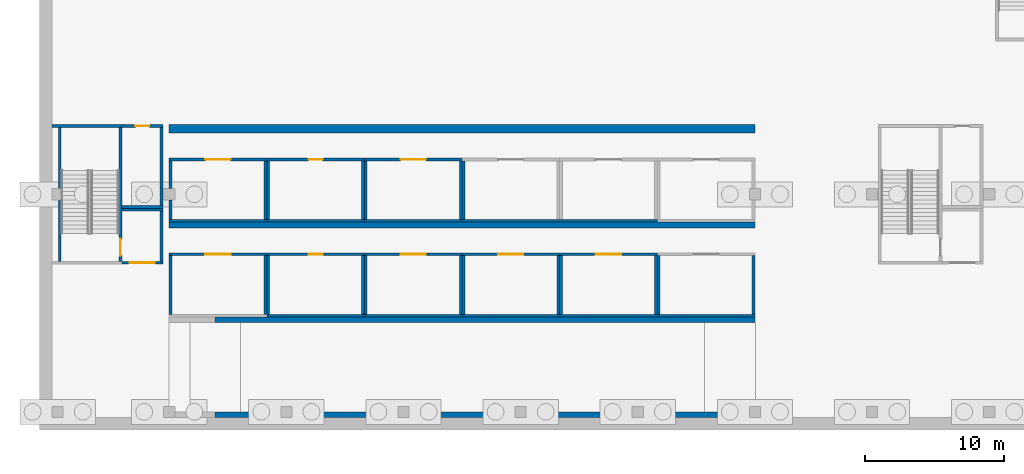
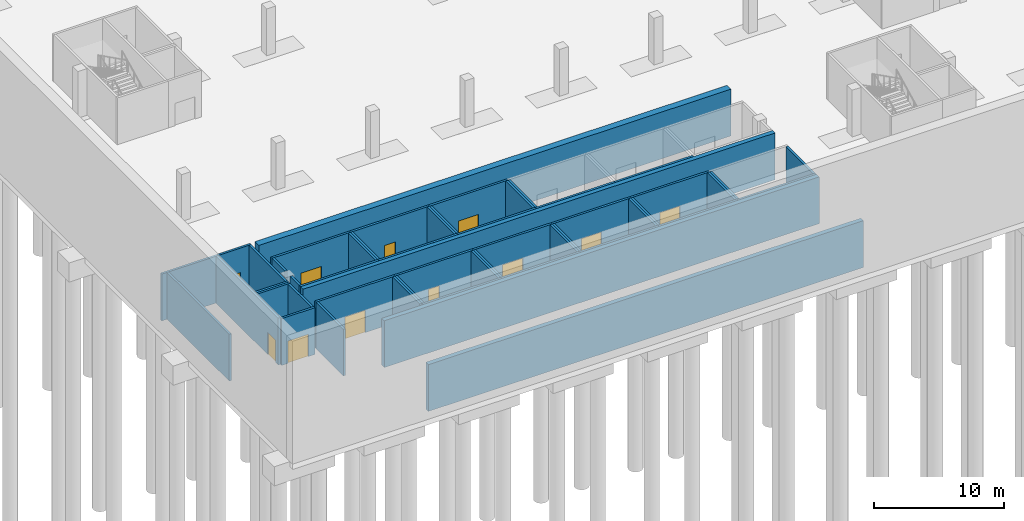
# One storey, part 6 of 46: 51 walls, 11 doors, 11 openings.
"""IFC4 building model written with IfcOpenShell, lengths in metres."""

from ifc_helpers import new_model, si_unit, direction, frame, frame_2d, origin, place, context, subcontext, project, spatial, rectangle, extrude, material, layer, layer_set, type_object, element, fill, save


model = new_model("IFC4")

# Units and contexts
model_context = context("Model", 3, precision=1e-05, world=origin(), true_north=direction((0.0, 1.0)))
body_context = subcontext(model_context, "Body", "Model", "MODEL_VIEW")
ifc_project = project(units=[si_unit("LENGTHUNIT", "METRE"), si_unit("AREAUNIT", "SQUARE_METRE"), si_unit("VOLUMEUNIT", "CUBIC_METRE"), si_unit("PLANEANGLEUNIT", "RADIAN"), si_unit("MASSUNIT", "GRAM", prefix="KILO")], contexts=[model_context])

# Site, building, storey
site_placement = place(None, origin())
site = spatial("IfcSite", under=ifc_project, at=site_placement, CompositionType="ELEMENT")
building_placement = place(site_placement, origin())
building = spatial("IfcBuilding", under=site, at=building_placement, Name="Tamra Quay Hotel Tower", CompositionType="ELEMENT")
storey_placement = place(building_placement, frame((0.0, 0.0, -12.0)))
storey = spatial("IfcBuildingStorey", under=building, at=storey_placement, Name="B3", CompositionType="ELEMENT", Elevation=-12.0)

# Wall, opening, door
ifc_material_1 = material(Name="Blockwork", Category="masonry")
ifc_layer_1 = layer(ifc_material_1, 0.199951171875)
ifc_layer_set_1 = layer_set([ifc_layer_1], Name="Car park room wall 200")
wall_type_1 = type_object("IfcWallType", Name="Car park room wall 200", PredefinedType="PARTITIONING", material=ifc_layer_set_1)
wall_1_placement = place(storey_placement, frame((-114.300048828125, -68.300048828125, 0.0), z_axis=(0.0, 0.0, 1.0), x_axis=(1.0, 0.0, 0.0)))
wall_1 = element("IfcWall", 1, at=wall_1_placement, inside=storey, type_object=wall_type_1, Name="PW", PredefinedType="PARTITIONING", context=body_context, shape_type="SweptSolid", body=[
    extrude(rectangle(XDim=7.0, YDim=0.199951171875, at=frame_2d((3.5, 0.0))), origin(), (0.0, 0.0, 1.0), 4.39990234375),
])
opening_1_placement = place(wall_1_placement, frame((2.60009765625, 0.0, 0.0)))
opening_1 = element("IfcOpeningElement", 2, at=opening_1_placement, cuts=wall_1, Name="Opening PD2", PredefinedType="OPENING", context=body_context, shape_type="SweptSolid", body=[
    extrude(rectangle(XDim=1.800048828125, YDim=2.10009765625, at=frame_2d((0.89990234375, 1.050048828125))), frame((0.0, 0.10986328125, 0.0), z_axis=(0.0, -1.0, 0.0), x_axis=(1.0, 0.0, 0.0)), (0.0, 0.0, 1.0), 0.219970703125),
])
ifc_material_2 = material(Name="Plant door 1800 x 2100")
door_type_1 = type_object("IfcDoorType", Name="Plant door 1800 x 2100", OperationType="DOUBLE_DOOR_SINGLE_SWING", PredefinedType="DOOR", material=ifc_material_2)
door_1_placement = place(opening_1_placement, origin())
door_1 = element("IfcDoor", 3, at=door_1_placement, inside=storey, type_object=door_type_1, Name="PD2", OperationType="DOUBLE_DOOR_SINGLE_SWING", OverallHeight=2.10009765625, OverallWidth=1.800048828125, PredefinedType="DOOR", context=body_context, shape_type="SweptSolid", body=[
    extrude(rectangle(XDim=1.800048828125, YDim=2.10009765625, at=frame_2d((0.89990234375, 1.050048828125))), frame((0.0, 0.02490234375, 0.0), z_axis=(0.0, -1.0, 0.0), x_axis=(1.0, 0.0, 0.0)), (0.0, 0.0, 1.0), 0.050048828125),
])
fill(opening_1, door_1)

# Walls
for number, where, z_axis, x_axis, name in (
    (4, (-114.199951171875, -72.60009765625, 0.0), (0.0, 0.0, 1.0), (0.0, 1.0, 0.0), "PW"),
    (5, (-107.39990234375, -72.60009765625, 0.0), (0.0, 0.0, 1.0), (0.0, 1.0, 0.0), "PW"),
):
    element("IfcWall", number, at=place(storey_placement, frame(where, z_axis=z_axis, x_axis=x_axis)), inside=storey, type_object=wall_type_1, Name=name, PredefinedType="PARTITIONING", context=body_context, shape_type="SweptSolid", body=[
        extrude(rectangle(XDim=4.2001953125, YDim=0.199951171875, at=frame_2d((2.10009765625, 0.0))), origin(), (0.0, 0.0, 1.0), 4.39990234375),
    ])
wall_2_placement = place(storey_placement, frame((-107.300048828125, -72.699951171875, 0.0), z_axis=(0.0, 0.0, 1.0), x_axis=(1.0, 0.0, 0.0)))
element("IfcWall", 6, at=wall_2_placement, inside=storey, type_object=wall_type_1, Name="PW", PredefinedType="PARTITIONING", context=body_context, shape_type="SweptSolid", body=[
    extrude(rectangle(XDim=7.0, YDim=0.199951171875, at=frame_2d((3.5, 0.0))), origin(), (0.0, 0.0, 1.0), 4.39990234375),
])

# Wall, opening, door
wall_3_placement = place(storey_placement, frame((-107.300048828125, -68.300048828125, 0.0), z_axis=(0.0, 0.0, 1.0), x_axis=(1.0, 0.0, 0.0)))
wall_3 = element("IfcWall", 7, at=wall_3_placement, inside=storey, type_object=wall_type_1, Name="PW", PredefinedType="PARTITIONING", context=body_context, shape_type="SweptSolid", body=[
    extrude(rectangle(XDim=7.0, YDim=0.199951171875, at=frame_2d((3.5, 0.0))), origin(), (0.0, 0.0, 1.0), 4.39990234375),
])
opening_2_placement = place(wall_3_placement, frame((3.0, 0.0, 0.0)))
opening_2 = element("IfcOpeningElement", 8, at=opening_2_placement, cuts=wall_3, Name="Opening PD1", PredefinedType="OPENING", context=body_context, shape_type="SweptSolid", body=[
    extrude(rectangle(XDim=1.0, YDim=2.10009765625, at=frame_2d((0.5, 1.050048828125))), frame((0.0, 0.10986328125, 0.0), z_axis=(0.0, -1.0, 0.0), x_axis=(1.0, 0.0, 0.0)), (0.0, 0.0, 1.0), 0.219970703125),
])
ifc_material_3 = material(Name="Car park door 1000 x 2100")
door_type_2 = type_object("IfcDoorType", Name="Car park door 1000 x 2100", OperationType="NOTDEFINED", PredefinedType="DOOR", material=ifc_material_3)
door_2_placement = place(opening_2_placement, origin())
door_2 = element("IfcDoor", 9, at=door_2_placement, inside=storey, type_object=door_type_2, Name="PD1", OperationType="SINGLE_SWING_LEFT", OverallHeight=2.10009765625, OverallWidth=1.0, PredefinedType="DOOR", context=body_context, shape_type="SweptSolid", body=[
    extrude(rectangle(XDim=1.0, YDim=2.10009765625, at=frame_2d((0.5, 1.050048828125))), frame((0.0, 0.02490234375, 0.0), z_axis=(0.0, -1.0, 0.0), x_axis=(1.0, 0.0, 0.0)), (0.0, 0.0, 1.0), 0.050048828125),
])
fill(opening_2, door_2)

# Walls
for number, where, z_axis, x_axis, name in (
    (10, (-107.199951171875, -72.60009765625, 0.0), (0.0, 0.0, 1.0), (0.0, 1.0, 0.0), "PW"),
    (11, (-100.39990234375, -72.60009765625, 0.0), (0.0, 0.0, 1.0), (0.0, 1.0, 0.0), "PW"),
):
    element("IfcWall", number, at=place(storey_placement, frame(where, z_axis=z_axis, x_axis=x_axis)), inside=storey, type_object=wall_type_1, Name=name, PredefinedType="PARTITIONING", context=body_context, shape_type="SweptSolid", body=[
        extrude(rectangle(XDim=4.2001953125, YDim=0.199951171875, at=frame_2d((2.10009765625, 0.0))), origin(), (0.0, 0.0, 1.0), 4.39990234375),
    ])
wall_4_placement = place(storey_placement, frame((-100.300048828125, -72.699951171875, 0.0), z_axis=(0.0, 0.0, 1.0), x_axis=(1.0, 0.0, 0.0)))
element("IfcWall", 12, at=wall_4_placement, inside=storey, type_object=wall_type_1, Name="PW", PredefinedType="PARTITIONING", context=body_context, shape_type="SweptSolid", body=[
    extrude(rectangle(XDim=7.0, YDim=0.199951171875, at=frame_2d((3.5, 0.0))), origin(), (0.0, 0.0, 1.0), 4.39990234375),
])

# Wall, opening, door
wall_5_placement = place(storey_placement, frame((-100.300048828125, -68.300048828125, 0.0), z_axis=(0.0, 0.0, 1.0), x_axis=(1.0, 0.0, 0.0)))
wall_5 = element("IfcWall", 13, at=wall_5_placement, inside=storey, type_object=wall_type_1, Name="PW", PredefinedType="PARTITIONING", context=body_context, shape_type="SweptSolid", body=[
    extrude(rectangle(XDim=7.0, YDim=0.199951171875, at=frame_2d((3.5, 0.0))), origin(), (0.0, 0.0, 1.0), 4.39990234375),
])
opening_3_placement = place(wall_5_placement, frame((2.60009765625, 0.0, 0.0)))
opening_3 = element("IfcOpeningElement", 14, at=opening_3_placement, cuts=wall_5, Name="Opening PD2", PredefinedType="OPENING", context=body_context, shape_type="SweptSolid", body=[
    extrude(rectangle(XDim=1.800048828125, YDim=2.10009765625, at=frame_2d((0.89990234375, 1.050048828125))), frame((0.0, 0.10986328125, 0.0), z_axis=(0.0, -1.0, 0.0), x_axis=(1.0, 0.0, 0.0)), (0.0, 0.0, 1.0), 0.219970703125),
])
door_3_placement = place(opening_3_placement, origin())
door_3 = element("IfcDoor", 15, at=door_3_placement, inside=storey, type_object=door_type_1, Name="PD2", OperationType="DOUBLE_DOOR_SINGLE_SWING", OverallHeight=2.10009765625, OverallWidth=1.800048828125, PredefinedType="DOOR", context=body_context, shape_type="SweptSolid", body=[
    extrude(rectangle(XDim=1.800048828125, YDim=2.10009765625, at=frame_2d((0.89990234375, 1.050048828125))), frame((0.0, 0.02490234375, 0.0), z_axis=(0.0, -1.0, 0.0), x_axis=(1.0, 0.0, 0.0)), (0.0, 0.0, 1.0), 0.050048828125),
])
fill(opening_3, door_3)

# Walls
for number, where, z_axis, x_axis, name in (
    (16, (-100.199951171875, -72.60009765625, 0.0), (0.0, 0.0, 1.0), (0.0, 1.0, 0.0), "PW"),
    (17, (-93.39990234375, -72.60009765625, 0.0), (0.0, 0.0, 1.0), (0.0, 1.0, 0.0), "PW"),
):
    element("IfcWall", number, at=place(storey_placement, frame(where, z_axis=z_axis, x_axis=x_axis)), inside=storey, type_object=wall_type_1, Name=name, PredefinedType="PARTITIONING", context=body_context, shape_type="SweptSolid", body=[
        extrude(rectangle(XDim=4.2001953125, YDim=0.199951171875, at=frame_2d((2.10009765625, 0.0))), origin(), (0.0, 0.0, 1.0), 4.39990234375),
    ])
wall_6_placement = place(storey_placement, frame((-93.300048828125, -72.699951171875, 0.0), z_axis=(0.0, 0.0, 1.0), x_axis=(1.0, 0.0, 0.0)))
element("IfcWall", 18, at=wall_6_placement, inside=storey, type_object=wall_type_1, Name="PW", PredefinedType="PARTITIONING", context=body_context, shape_type="SweptSolid", body=[
    extrude(rectangle(XDim=7.0, YDim=0.199951171875, at=frame_2d((3.5, 0.0))), origin(), (0.0, 0.0, 1.0), 4.39990234375),
])

# Wall, opening, door
wall_7_placement = place(storey_placement, frame((-93.300048828125, -68.300048828125, 0.0), z_axis=(0.0, 0.0, 1.0), x_axis=(1.0, 0.0, 0.0)))
wall_7 = element("IfcWall", 19, at=wall_7_placement, inside=storey, type_object=wall_type_1, Name="PW", PredefinedType="PARTITIONING", context=body_context, shape_type="SweptSolid", body=[
    extrude(rectangle(XDim=7.0, YDim=0.199951171875, at=frame_2d((3.5, 0.0))), origin(), (0.0, 0.0, 1.0), 4.39990234375),
])
opening_4_placement = place(wall_7_placement, frame((2.60009765625, 0.0, 0.0)))
opening_4 = element("IfcOpeningElement", 20, at=opening_4_placement, cuts=wall_7, Name="Opening PD2", PredefinedType="OPENING", context=body_context, shape_type="SweptSolid", body=[
    extrude(rectangle(XDim=1.800048828125, YDim=2.10009765625, at=frame_2d((0.89990234375, 1.050048828125))), frame((0.0, 0.10986328125, 0.0), z_axis=(0.0, -1.0, 0.0), x_axis=(1.0, 0.0, 0.0)), (0.0, 0.0, 1.0), 0.219970703125),
])
door_4_placement = place(opening_4_placement, origin())
door_4 = element("IfcDoor", 21, at=door_4_placement, inside=storey, type_object=door_type_1, Name="PD2", OperationType="DOUBLE_DOOR_SINGLE_SWING", OverallHeight=2.10009765625, OverallWidth=1.800048828125, PredefinedType="DOOR", context=body_context, shape_type="SweptSolid", body=[
    extrude(rectangle(XDim=1.800048828125, YDim=2.10009765625, at=frame_2d((0.89990234375, 1.050048828125))), frame((0.0, 0.02490234375, 0.0), z_axis=(0.0, -1.0, 0.0), x_axis=(1.0, 0.0, 0.0)), (0.0, 0.0, 1.0), 0.050048828125),
])
fill(opening_4, door_4)

# Walls
for number, where, z_axis, x_axis, name in (
    (22, (-93.199951171875, -72.60009765625, 0.0), (0.0, 0.0, 1.0), (0.0, 1.0, 0.0), "PW"),
    (23, (-86.39990234375, -72.60009765625, 0.0), (0.0, 0.0, 1.0), (0.0, 1.0, 0.0), "PW"),
):
    element("IfcWall", number, at=place(storey_placement, frame(where, z_axis=z_axis, x_axis=x_axis)), inside=storey, type_object=wall_type_1, Name=name, PredefinedType="PARTITIONING", context=body_context, shape_type="SweptSolid", body=[
        extrude(rectangle(XDim=4.2001953125, YDim=0.199951171875, at=frame_2d((2.10009765625, 0.0))), origin(), (0.0, 0.0, 1.0), 4.39990234375),
    ])
wall_8_placement = place(storey_placement, frame((-86.300048828125, -72.699951171875, 0.0), z_axis=(0.0, 0.0, 1.0), x_axis=(1.0, 0.0, 0.0)))
element("IfcWall", 24, at=wall_8_placement, inside=storey, type_object=wall_type_1, Name="PW", PredefinedType="PARTITIONING", context=body_context, shape_type="SweptSolid", body=[
    extrude(rectangle(XDim=7.0, YDim=0.199951171875, at=frame_2d((3.5, 0.0))), origin(), (0.0, 0.0, 1.0), 4.39990234375),
])

# Wall, opening, door
wall_9_placement = place(storey_placement, frame((-86.300048828125, -68.300048828125, 0.0), z_axis=(0.0, 0.0, 1.0), x_axis=(1.0, 0.0, 0.0)))
wall_9 = element("IfcWall", 25, at=wall_9_placement, inside=storey, type_object=wall_type_1, Name="PW", PredefinedType="PARTITIONING", context=body_context, shape_type="SweptSolid", body=[
    extrude(rectangle(XDim=7.0, YDim=0.199951171875, at=frame_2d((3.5, 0.0))), origin(), (0.0, 0.0, 1.0), 4.39990234375),
])
opening_5_placement = place(wall_9_placement, frame((2.60009765625, 0.0, 0.0)))
opening_5 = element("IfcOpeningElement", 26, at=opening_5_placement, cuts=wall_9, Name="Opening PD2", PredefinedType="OPENING", context=body_context, shape_type="SweptSolid", body=[
    extrude(rectangle(XDim=1.800048828125, YDim=2.10009765625, at=frame_2d((0.89990234375, 1.050048828125))), frame((0.0, 0.10986328125, 0.0), z_axis=(0.0, -1.0, 0.0), x_axis=(1.0, 0.0, 0.0)), (0.0, 0.0, 1.0), 0.219970703125),
])
door_5_placement = place(opening_5_placement, origin())
door_5 = element("IfcDoor", 27, at=door_5_placement, inside=storey, type_object=door_type_1, Name="PD2", OperationType="DOUBLE_DOOR_SINGLE_SWING", OverallHeight=2.10009765625, OverallWidth=1.800048828125, PredefinedType="DOOR", context=body_context, shape_type="SweptSolid", body=[
    extrude(rectangle(XDim=1.800048828125, YDim=2.10009765625, at=frame_2d((0.89990234375, 1.050048828125))), frame((0.0, 0.02490234375, 0.0), z_axis=(0.0, -1.0, 0.0), x_axis=(1.0, 0.0, 0.0)), (0.0, 0.0, 1.0), 0.050048828125),
])
fill(opening_5, door_5)

# Walls
for number, where, z_axis, x_axis, name in (
    (28, (-86.199951171875, -72.60009765625, 0.0), (0.0, 0.0, 1.0), (0.0, 1.0, 0.0), "PW"),
    (29, (-79.39990234375, -72.60009765625, 0.0), (0.0, 0.0, 1.0), (0.0, 1.0, 0.0), "PW"),
):
    element("IfcWall", number, at=place(storey_placement, frame(where, z_axis=z_axis, x_axis=x_axis)), inside=storey, type_object=wall_type_1, Name=name, PredefinedType="PARTITIONING", context=body_context, shape_type="SweptSolid", body=[
        extrude(rectangle(XDim=4.2001953125, YDim=0.199951171875, at=frame_2d((2.10009765625, 0.0))), origin(), (0.0, 0.0, 1.0), 4.39990234375),
    ])
wall_10_placement = place(storey_placement, frame((-79.300048828125, -72.699951171875, 0.0), z_axis=(0.0, 0.0, 1.0), x_axis=(1.0, 0.0, 0.0)))
element("IfcWall", 30, at=wall_10_placement, inside=storey, type_object=wall_type_1, Name="PW", PredefinedType="PARTITIONING", context=body_context, shape_type="SweptSolid", body=[
    extrude(rectangle(XDim=7.0, YDim=0.199951171875, at=frame_2d((3.5, 0.0))), origin(), (0.0, 0.0, 1.0), 4.39990234375),
])
for number, where, z_axis, x_axis, name in (
    (31, (-79.199951171875, -72.60009765625, 0.0), (0.0, 0.0, 1.0), (0.0, 1.0, 0.0), "PW"),
    (32, (-72.39990234375, -72.60009765625, 0.0), (0.0, 0.0, 1.0), (0.0, 1.0, 0.0), "PW"),
):
    element("IfcWall", number, at=place(storey_placement, frame(where, z_axis=z_axis, x_axis=x_axis)), inside=storey, type_object=wall_type_1, Name=name, PredefinedType="PARTITIONING", context=body_context, shape_type="SweptSolid", body=[
        extrude(rectangle(XDim=4.2001953125, YDim=0.199951171875, at=frame_2d((2.10009765625, 0.0))), origin(), (0.0, 0.0, 1.0), 4.39990234375),
    ])
wall_11_placement = place(storey_placement, frame((-114.300048828125, -65.89990234375, 0.0), z_axis=(0.0, 0.0, 1.0), x_axis=(1.0, 0.0, 0.0)))
element("IfcWall", 33, at=wall_11_placement, inside=storey, type_object=wall_type_1, Name="PW", PredefinedType="PARTITIONING", context=body_context, shape_type="SweptSolid", body=[
    extrude(rectangle(XDim=7.0, YDim=0.199951171875, at=frame_2d((3.5, 0.0))), origin(), (0.0, 0.0, 1.0), 4.39990234375),
])

# Wall, opening, door
wall_12_placement = place(storey_placement, frame((-114.300048828125, -61.5, 0.0), z_axis=(0.0, 0.0, 1.0), x_axis=(1.0, 0.0, 0.0)))
wall_12 = element("IfcWall", 34, at=wall_12_placement, inside=storey, type_object=wall_type_1, Name="PW", PredefinedType="PARTITIONING", context=body_context, shape_type="SweptSolid", body=[
    extrude(rectangle(XDim=7.0, YDim=0.199951171875, at=frame_2d((3.5, 0.0))), origin(), (0.0, 0.0, 1.0), 4.39990234375),
])
opening_6_placement = place(wall_12_placement, frame((2.60009765625, 0.0, 0.0)))
opening_6 = element("IfcOpeningElement", 35, at=opening_6_placement, cuts=wall_12, Name="Opening PD2", PredefinedType="OPENING", context=body_context, shape_type="SweptSolid", body=[
    extrude(rectangle(XDim=1.800048828125, YDim=2.10009765625, at=frame_2d((0.89990234375, 1.050048828125))), frame((0.0, 0.10986328125, 0.0), z_axis=(0.0, -1.0, 0.0), x_axis=(1.0, 0.0, 0.0)), (0.0, 0.0, 1.0), 0.219970703125),
])
door_6_placement = place(opening_6_placement, origin())
door_6 = element("IfcDoor", 36, at=door_6_placement, inside=storey, type_object=door_type_1, Name="PD2", OperationType="DOUBLE_DOOR_SINGLE_SWING", OverallHeight=2.10009765625, OverallWidth=1.800048828125, PredefinedType="DOOR", context=body_context, shape_type="SweptSolid", body=[
    extrude(rectangle(XDim=1.800048828125, YDim=2.10009765625, at=frame_2d((0.89990234375, 1.050048828125))), frame((0.0, 0.02490234375, 0.0), z_axis=(0.0, -1.0, 0.0), x_axis=(1.0, 0.0, 0.0)), (0.0, 0.0, 1.0), 0.050048828125),
])
fill(opening_6, door_6)

# Walls
wall_13_placement = place(storey_placement, frame((-114.199951171875, -65.800048828125, 0.0), z_axis=(0.0, 0.0, 1.0), x_axis=(0.0, 1.0, 0.0)))
element("IfcWall", 37, at=wall_13_placement, inside=storey, type_object=wall_type_1, Name="PW", PredefinedType="PARTITIONING", context=body_context, shape_type="SweptSolid", body=[
    extrude(rectangle(XDim=1.400146484375, YDim=0.199951171875, at=frame_2d((0.7001953125, 0.0))), origin(), (0.0, 0.0, 1.0), 4.39990234375),
])
wall_14_placement = place(storey_placement, frame((-114.199951171875, -63.60009765625, 0.0), z_axis=(0.0, 0.0, 1.0), x_axis=(0.0, 1.0, 0.0)))
element("IfcWall", 38, at=wall_14_placement, inside=storey, type_object=wall_type_1, Name="PW", PredefinedType="PARTITIONING", context=body_context, shape_type="SweptSolid", body=[
    extrude(rectangle(XDim=2.0, YDim=0.199951171875, at=frame_2d((1.0, 0.0))), origin(), (0.0, 0.0, 1.0), 4.39990234375),
])
wall_15_placement = place(storey_placement, frame((-107.39990234375, -65.800048828125, 0.0), z_axis=(0.0, 0.0, 1.0), x_axis=(0.0, 1.0, 0.0)))
element("IfcWall", 39, at=wall_15_placement, inside=storey, type_object=wall_type_1, Name="PW", PredefinedType="PARTITIONING", context=body_context, shape_type="SweptSolid", body=[
    extrude(rectangle(XDim=4.199951171875, YDim=0.199951171875, at=frame_2d((2.10009765625, 0.0))), origin(), (0.0, 0.0, 1.0), 4.39990234375),
])
wall_16_placement = place(storey_placement, frame((-107.300048828125, -65.89990234375, 0.0), z_axis=(0.0, 0.0, 1.0), x_axis=(1.0, 0.0, 0.0)))
element("IfcWall", 40, at=wall_16_placement, inside=storey, type_object=wall_type_1, Name="PW", PredefinedType="PARTITIONING", context=body_context, shape_type="SweptSolid", body=[
    extrude(rectangle(XDim=7.0, YDim=0.199951171875, at=frame_2d((3.5, 0.0))), origin(), (0.0, 0.0, 1.0), 4.39990234375),
])

# Wall, opening, door
wall_17_placement = place(storey_placement, frame((-107.300048828125, -61.5, 0.0), z_axis=(0.0, 0.0, 1.0), x_axis=(1.0, 0.0, 0.0)))
wall_17 = element("IfcWall", 41, at=wall_17_placement, inside=storey, type_object=wall_type_1, Name="PW", PredefinedType="PARTITIONING", context=body_context, shape_type="SweptSolid", body=[
    extrude(rectangle(XDim=7.0, YDim=0.199951171875, at=frame_2d((3.5, 0.0))), origin(), (0.0, 0.0, 1.0), 4.39990234375),
])
opening_7_placement = place(wall_17_placement, frame((3.0, 0.0, 0.0)))
opening_7 = element("IfcOpeningElement", 42, at=opening_7_placement, cuts=wall_17, Name="Opening PD1", PredefinedType="OPENING", context=body_context, shape_type="SweptSolid", body=[
    extrude(rectangle(XDim=1.0, YDim=2.10009765625, at=frame_2d((0.5, 1.050048828125))), frame((0.0, 0.10986328125, 0.0), z_axis=(0.0, -1.0, 0.0), x_axis=(1.0, 0.0, 0.0)), (0.0, 0.0, 1.0), 0.219970703125),
])
door_7_placement = place(opening_7_placement, origin())
door_7 = element("IfcDoor", 43, at=door_7_placement, inside=storey, type_object=door_type_2, Name="PD1", OperationType="SINGLE_SWING_LEFT", OverallHeight=2.10009765625, OverallWidth=1.0, PredefinedType="DOOR", context=body_context, shape_type="SweptSolid", body=[
    extrude(rectangle(XDim=1.0, YDim=2.10009765625, at=frame_2d((0.5, 1.050048828125))), frame((0.0, 0.02490234375, 0.0), z_axis=(0.0, -1.0, 0.0), x_axis=(1.0, 0.0, 0.0)), (0.0, 0.0, 1.0), 0.050048828125),
])
fill(opening_7, door_7)

# Walls
for number, where, z_axis, x_axis, name in (
    (44, (-107.199951171875, -65.800048828125, 0.0), (0.0, 0.0, 1.0), (0.0, 1.0, 0.0), "PW"),
    (45, (-100.39990234375, -65.800048828125, 0.0), (0.0, 0.0, 1.0), (0.0, 1.0, 0.0), "PW"),
):
    element("IfcWall", number, at=place(storey_placement, frame(where, z_axis=z_axis, x_axis=x_axis)), inside=storey, type_object=wall_type_1, Name=name, PredefinedType="PARTITIONING", context=body_context, shape_type="SweptSolid", body=[
        extrude(rectangle(XDim=4.199951171875, YDim=0.199951171875, at=frame_2d((2.10009765625, 0.0))), origin(), (0.0, 0.0, 1.0), 4.39990234375),
    ])
wall_18_placement = place(storey_placement, frame((-100.300048828125, -65.89990234375, 0.0), z_axis=(0.0, 0.0, 1.0), x_axis=(1.0, 0.0, 0.0)))
element("IfcWall", 46, at=wall_18_placement, inside=storey, type_object=wall_type_1, Name="PW", PredefinedType="PARTITIONING", context=body_context, shape_type="SweptSolid", body=[
    extrude(rectangle(XDim=7.0, YDim=0.199951171875, at=frame_2d((3.5, 0.0))), origin(), (0.0, 0.0, 1.0), 4.39990234375),
])

# Wall, opening, door
wall_19_placement = place(storey_placement, frame((-100.300048828125, -61.5, 0.0), z_axis=(0.0, 0.0, 1.0), x_axis=(1.0, 0.0, 0.0)))
wall_19 = element("IfcWall", 47, at=wall_19_placement, inside=storey, type_object=wall_type_1, Name="PW", PredefinedType="PARTITIONING", context=body_context, shape_type="SweptSolid", body=[
    extrude(rectangle(XDim=7.0, YDim=0.199951171875, at=frame_2d((3.5, 0.0))), origin(), (0.0, 0.0, 1.0), 4.39990234375),
])
opening_8_placement = place(wall_19_placement, frame((2.60009765625, 0.0, 0.0)))
opening_8 = element("IfcOpeningElement", 48, at=opening_8_placement, cuts=wall_19, Name="Opening PD2", PredefinedType="OPENING", context=body_context, shape_type="SweptSolid", body=[
    extrude(rectangle(XDim=1.800048828125, YDim=2.10009765625, at=frame_2d((0.89990234375, 1.050048828125))), frame((0.0, 0.10986328125, 0.0), z_axis=(0.0, -1.0, 0.0), x_axis=(1.0, 0.0, 0.0)), (0.0, 0.0, 1.0), 0.219970703125),
])
door_8_placement = place(opening_8_placement, origin())
door_8 = element("IfcDoor", 49, at=door_8_placement, inside=storey, type_object=door_type_1, Name="PD2", OperationType="DOUBLE_DOOR_SINGLE_SWING", OverallHeight=2.10009765625, OverallWidth=1.800048828125, PredefinedType="DOOR", context=body_context, shape_type="SweptSolid", body=[
    extrude(rectangle(XDim=1.800048828125, YDim=2.10009765625, at=frame_2d((0.89990234375, 1.050048828125))), frame((0.0, 0.02490234375, 0.0), z_axis=(0.0, -1.0, 0.0), x_axis=(1.0, 0.0, 0.0)), (0.0, 0.0, 1.0), 0.050048828125),
])
fill(opening_8, door_8)

# Walls
for number, where, z_axis, x_axis, name in (
    (50, (-100.199951171875, -65.800048828125, 0.0), (0.0, 0.0, 1.0), (0.0, 1.0, 0.0), "PW"),
    (51, (-93.39990234375, -65.800048828125, 0.0), (0.0, 0.0, 1.0), (0.0, 1.0, 0.0), "PW"),
):
    element("IfcWall", number, at=place(storey_placement, frame(where, z_axis=z_axis, x_axis=x_axis)), inside=storey, type_object=wall_type_1, Name=name, PredefinedType="PARTITIONING", context=body_context, shape_type="SweptSolid", body=[
        extrude(rectangle(XDim=4.199951171875, YDim=0.199951171875, at=frame_2d((2.10009765625, 0.0))), origin(), (0.0, 0.0, 1.0), 4.39990234375),
    ])
wall_20_placement = place(storey_placement, frame((-93.300048828125, -65.89990234375, 0.0), z_axis=(0.0, 0.0, 1.0), x_axis=(1.0, 0.0, 0.0)))
element("IfcWall", 52, at=wall_20_placement, inside=storey, type_object=wall_type_1, Name="PW", PredefinedType="PARTITIONING", context=body_context, shape_type="SweptSolid", body=[
    extrude(rectangle(XDim=7.0, YDim=0.199951171875, at=frame_2d((3.5, 0.0))), origin(), (0.0, 0.0, 1.0), 4.39990234375),
])
wall_21_placement = place(storey_placement, frame((-93.199951171875, -65.800048828125, 0.0), z_axis=(0.0, 0.0, 1.0), x_axis=(0.0, 1.0, 0.0)))
element("IfcWall", 53, at=wall_21_placement, inside=storey, type_object=wall_type_1, Name="PW", PredefinedType="PARTITIONING", context=body_context, shape_type="SweptSolid", body=[
    extrude(rectangle(XDim=4.199951171875, YDim=0.199951171875, at=frame_2d((2.10009765625, 0.0))), origin(), (0.0, 0.0, 1.0), 4.39990234375),
])
wall_22_placement = place(storey_placement, frame((-86.300048828125, -65.89990234375, 0.0), z_axis=(0.0, 0.0, 1.0), x_axis=(1.0, 0.0, 0.0)))
element("IfcWall", 54, at=wall_22_placement, inside=storey, type_object=wall_type_1, Name="PW", PredefinedType="PARTITIONING", context=body_context, shape_type="SweptSolid", body=[
    extrude(rectangle(XDim=7.0, YDim=0.199951171875, at=frame_2d((3.5, 0.0))), origin(), (0.0, 0.0, 1.0), 4.39990234375),
])

# Wall, opening, door
wall_23_placement = place(storey_placement, frame((-117.699951171875, -68.89990234375, 0.0), z_axis=(0.0, 0.0, 1.0), x_axis=(1.0, 0.0, 0.0)))
wall_23 = element("IfcWall", 55, at=wall_23_placement, inside=storey, type_object=wall_type_1, Name="PW", PredefinedType="PARTITIONING", context=body_context, shape_type="SweptSolid", body=[
    extrude(rectangle(XDim=2.949951171875, YDim=0.199951171875, at=frame_2d((1.47509765625, 0.0))), origin(), (0.0, 0.0, 1.0), 4.39990234375),
])
opening_9_placement = place(wall_23_placement, frame((0.574951171875, 0.0, 0.0)))
opening_9 = element("IfcOpeningElement", 56, at=opening_9_placement, cuts=wall_23, Name="Opening PD2", PredefinedType="OPENING", context=body_context, shape_type="SweptSolid", body=[
    extrude(rectangle(XDim=1.800048828125, YDim=2.10009765625, at=frame_2d((0.89990234375, 1.050048828125))), frame((0.0, 0.10986328125, 0.0), z_axis=(0.0, -1.0, 0.0), x_axis=(1.0, 0.0, 0.0)), (0.0, 0.0, 1.0), 0.219970703125),
])
door_9_placement = place(opening_9_placement, origin())
door_9 = element("IfcDoor", 57, at=door_9_placement, inside=storey, type_object=door_type_1, Name="PD2", OperationType="DOUBLE_DOOR_SINGLE_SWING", OverallHeight=2.10009765625, OverallWidth=1.800048828125, PredefinedType="DOOR", context=body_context, shape_type="SweptSolid", body=[
    extrude(rectangle(XDim=1.800048828125, YDim=2.10009765625, at=frame_2d((0.89990234375, 1.050048828125))), frame((0.0, 0.02490234375, 0.0), z_axis=(0.0, -1.0, 0.0), x_axis=(1.0, 0.0, 0.0)), (0.0, 0.0, 1.0), 0.050048828125),
])
fill(opening_9, door_9)

# Walls
wall_24_placement = place(storey_placement, frame((-117.699951171875, -65.10009765625, 0.0), z_axis=(0.0, 0.0, 1.0), x_axis=(1.0, 0.0, 0.0)))
element("IfcWall", 58, at=wall_24_placement, inside=storey, type_object=wall_type_1, Name="PW", PredefinedType="PARTITIONING", context=body_context, shape_type="SweptSolid", body=[
    extrude(rectangle(XDim=2.949951171875, YDim=0.199951171875, at=frame_2d((1.47509765625, 0.0))), origin(), (0.0, 0.0, 1.0), 4.39990234375),
])
wall_25_placement = place(storey_placement, frame((-114.85009765625, -68.800048828125, 0.0), z_axis=(0.0, 0.0, 1.0), x_axis=(0.0, 1.0, 0.0)))
element("IfcWall", 59, at=wall_25_placement, inside=storey, type_object=wall_type_1, Name="PW", PredefinedType="PARTITIONING", context=body_context, shape_type="SweptSolid", body=[
    extrude(rectangle(XDim=3.60009765625, YDim=0.199951171875, at=frame_2d((1.800048828125, 0.0))), origin(), (0.0, 0.0, 1.0), 4.39990234375),
])
wall_26_placement = place(storey_placement, frame((-117.699951171875, -64.89990234375, 0.0), z_axis=(0.0, 0.0, 1.0), x_axis=(1.0, 0.0, 0.0)))
element("IfcWall", 60, at=wall_26_placement, inside=storey, type_object=wall_type_1, Name="PW", PredefinedType="PARTITIONING", context=body_context, shape_type="SweptSolid", body=[
    extrude(rectangle(XDim=2.949951171875, YDim=0.199951171875, at=frame_2d((1.47509765625, 0.0))), origin(), (0.0, 0.0, 1.0), 4.39990234375),
])

# Wall, opening, door
wall_27_placement = place(storey_placement, frame((-117.699951171875, -59.10009765625, 0.0), z_axis=(0.0, 0.0, 1.0), x_axis=(1.0, 0.0, 0.0)))
wall_27 = element("IfcWall", 61, at=wall_27_placement, inside=storey, type_object=wall_type_1, Name="PW", PredefinedType="PARTITIONING", context=body_context, shape_type="SweptSolid", body=[
    extrude(rectangle(XDim=2.949951171875, YDim=0.199951171875, at=frame_2d((1.47509765625, 0.0))), origin(), (0.0, 0.0, 1.0), 4.39990234375),
])
opening_10_placement = place(wall_27_placement, frame((0.97509765625, 0.0, 0.0)))
opening_10 = element("IfcOpeningElement", 62, at=opening_10_placement, cuts=wall_27, Name="Opening PD1", PredefinedType="OPENING", context=body_context, shape_type="SweptSolid", body=[
    extrude(rectangle(XDim=1.0, YDim=2.10009765625, at=frame_2d((0.5, 1.050048828125))), frame((0.0, 0.10986328125, 0.0), z_axis=(0.0, -1.0, 0.0), x_axis=(1.0, 0.0, 0.0)), (0.0, 0.0, 1.0), 0.219970703125),
])
door_10_placement = place(opening_10_placement, origin())
door_10 = element("IfcDoor", 63, at=door_10_placement, inside=storey, type_object=door_type_2, Name="PD1", OperationType="SINGLE_SWING_LEFT", OverallHeight=2.10009765625, OverallWidth=1.0, PredefinedType="DOOR", context=body_context, shape_type="SweptSolid", body=[
    extrude(rectangle(XDim=1.0, YDim=2.10009765625, at=frame_2d((0.5, 1.050048828125))), frame((0.0, 0.02490234375, 0.0), z_axis=(0.0, -1.0, 0.0), x_axis=(1.0, 0.0, 0.0)), (0.0, 0.0, 1.0), 0.050048828125),
])
fill(opening_10, door_10)

# Walls
wall_28_placement = place(storey_placement, frame((-114.85009765625, -64.800048828125, 0.0), z_axis=(0.0, 0.0, 1.0), x_axis=(0.0, 1.0, 0.0)))
element("IfcWall", 64, at=wall_28_placement, inside=storey, type_object=wall_type_1, Name="PW", PredefinedType="PARTITIONING", context=body_context, shape_type="SweptSolid", body=[
    extrude(rectangle(XDim=5.60009765625, YDim=0.199951171875, at=frame_2d((2.800048828125, 0.0))), origin(), (0.0, 0.0, 1.0), 4.39990234375),
])
ifc_material_4 = material(Name="Concrete M60", Category="concrete")
ifc_layer_2 = layer(ifc_material_4, 0.39990234375)
ifc_layer_set_2 = layer_set([ifc_layer_2], Name="Concrete M60 ramp kerb wall 400")
wall_type_2 = type_object("IfcWallType", Name="Concrete M60 ramp kerb wall 400", PredefinedType="SOLIDWALL", material=ifc_layer_set_2)
for number, where, z_axis, x_axis, name in (
    (65, (-111.0, -79.800048828125, 0.0), (0.0, 0.0, 1.0), (1.0, 0.0, 0.0), "RW4"),
    (66, (-111.0, -73.0, 0.0), (0.0, 0.0, 1.0), (1.0, 0.0, 0.0), "RW4"),
):
    element("IfcWall", number, at=place(storey_placement, frame(where, z_axis=z_axis, x_axis=x_axis)), inside=storey, type_object=wall_type_2, Name=name, PredefinedType="SOLIDWALL", context=body_context, shape_type="SweptSolid", body=[
        extrude(rectangle(XDim=38.699951171875, YDim=0.39990234375, at=frame_2d((19.35009765625, 0.0))), origin(), (0.0, 0.0, 1.0), 4.39990234375),
    ])
wall_29_placement = place(storey_placement, frame((-114.300048828125, -66.199951171875, 0.0), z_axis=(0.0, 0.0, 1.0), x_axis=(1.0, 0.0, 0.0)))
element("IfcWall", 67, at=wall_29_placement, inside=storey, type_object=wall_type_2, Name="RW4", PredefinedType="SOLIDWALL", context=body_context, shape_type="SweptSolid", body=[
    extrude(rectangle(XDim=42.0, YDim=0.39990234375, at=frame_2d((21.0, 0.0))), origin(), (0.0, 0.0, 1.0), 4.39990234375),
])
ifc_layer_3 = layer(ifc_material_4, 0.60009765625)
ifc_layer_set_3 = layer_set([ifc_layer_3], Name="Concrete M60 ramp kerb wall 600")
wall_type_3 = type_object("IfcWallType", Name="Concrete M60 ramp kerb wall 600", PredefinedType="SOLIDWALL", material=ifc_layer_set_3)
wall_30_placement = place(storey_placement, frame((-114.300048828125, -59.300048828125, 0.0), z_axis=(0.0, 0.0, 1.0), x_axis=(1.0, 0.0, 0.0)))
element("IfcWall", 68, at=wall_30_placement, inside=storey, type_object=wall_type_3, Name="RW6", PredefinedType="SOLIDWALL", context=body_context, shape_type="SweptSolid", body=[
    extrude(rectangle(XDim=42.0, YDim=0.60009765625, at=frame_2d((21.0, 0.0))), origin(), (0.0, 0.0, 1.0), 4.39990234375),
])
ifc_material_5 = material(Name="Concrete M70", Category="concrete")
ifc_layer_4 = layer(ifc_material_5, 0.199951171875)
ifc_layer_set_4 = layer_set([ifc_layer_4], Name="Concrete M70 stair enclosure wall 200")
wall_type_4 = type_object("IfcWallType", Name="Concrete M70 stair enclosure wall 200", PredefinedType="SOLIDWALL", material=ifc_layer_set_4)
wall_31_placement = place(storey_placement, frame((-122.14990234375, -68.800048828125, 0.0), z_axis=(0.0, 0.0, 1.0), x_axis=(0.0, 1.0, 0.0)))
element("IfcWall", 69, at=wall_31_placement, inside=storey, type_object=wall_type_4, Name="SEW", PredefinedType="SOLIDWALL", context=body_context, shape_type="SweptSolid", body=[
    extrude(rectangle(XDim=9.60009765625, YDim=0.199951171875, at=frame_2d((4.800048828125, 0.0))), origin(), (0.0, 0.0, 1.0), 4.39990234375),
])

# Wall, opening, door
wall_32_placement = place(storey_placement, frame((-117.800048828125, -68.800048828125, 0.0), z_axis=(0.0, 0.0, 1.0), x_axis=(0.0, 1.0, 0.0)))
wall_32 = element("IfcWall", 70, at=wall_32_placement, inside=storey, type_object=wall_type_4, Name="SEW", PredefinedType="SOLIDWALL", context=body_context, shape_type="SweptSolid", body=[
    extrude(rectangle(XDim=9.60009765625, YDim=0.199951171875, at=frame_2d((4.800048828125, 0.0))), origin(), (0.0, 0.0, 1.0), 4.39990234375),
])
opening_11_placement = place(wall_32_placement, frame((0.39990234375, 0.0, 0.0)))
opening_11 = element("IfcOpeningElement", 71, at=opening_11_placement, cuts=wall_32, Name="Opening SD1", PredefinedType="OPENING", context=body_context, shape_type="SweptSolid", body=[
    extrude(rectangle(XDim=1.199951171875, YDim=2.10009765625, at=frame_2d((0.60009765625, 1.050048828125))), frame((0.0, 0.10986328125, 0.0), z_axis=(0.0, -1.0, 0.0), x_axis=(1.0, 0.0, 0.0)), (0.0, 0.0, 1.0), 0.219970703125),
])
ifc_material_6 = material(Name="Stair door 1200 x 2100")
door_type_3 = type_object("IfcDoorType", Name="Stair door 1200 x 2100", OperationType="NOTDEFINED", PredefinedType="DOOR", material=ifc_material_6)
door_11_placement = place(opening_11_placement, origin())
door_11 = element("IfcDoor", 72, at=door_11_placement, inside=storey, type_object=door_type_3, Name="SD1", OperationType="SINGLE_SWING_LEFT", OverallHeight=2.10009765625, OverallWidth=1.199951171875, PredefinedType="DOOR", context=body_context, shape_type="SweptSolid", body=[
    extrude(rectangle(XDim=1.199951171875, YDim=2.10009765625, at=frame_2d((0.60009765625, 1.050048828125))), frame((0.0, 0.02490234375, 0.0), z_axis=(0.0, -1.0, 0.0), x_axis=(1.0, 0.0, 0.0)), (0.0, 0.0, 1.0), 0.050048828125),
])
fill(opening_11, door_11)

# Wall
wall_33_placement = place(storey_placement, frame((-122.699951171875, -59.10009765625, 0.0), z_axis=(0.0, 0.0, 1.0), x_axis=(1.0, 0.0, 0.0)))
element("IfcWall", 73, at=wall_33_placement, inside=storey, type_object=wall_type_4, Name="SEW", PredefinedType="SOLIDWALL", context=body_context, shape_type="SweptSolid", body=[
    extrude(rectangle(XDim=5.0, YDim=0.199951171875, at=frame_2d((2.5, 0.0))), origin(), (0.0, 0.0, 1.0), 4.39990234375),
])

save(model, "model.ifc")
